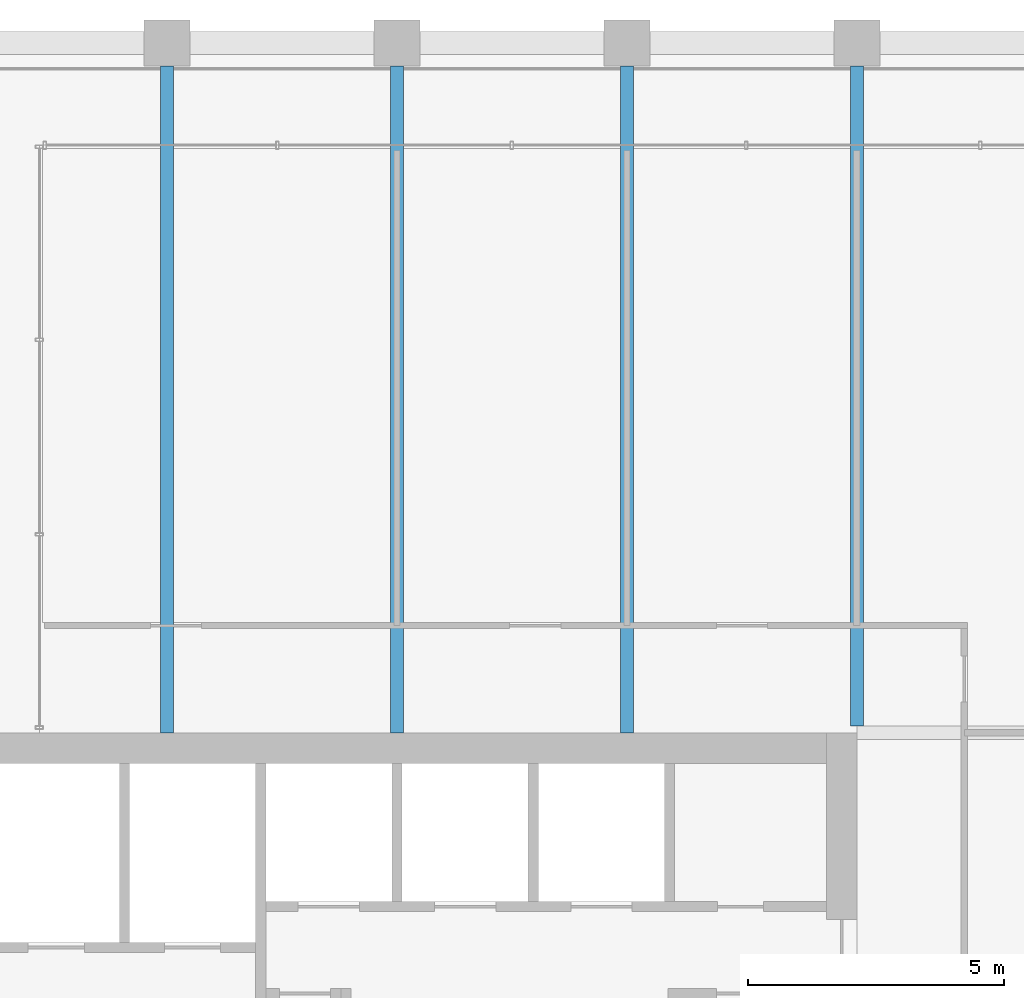
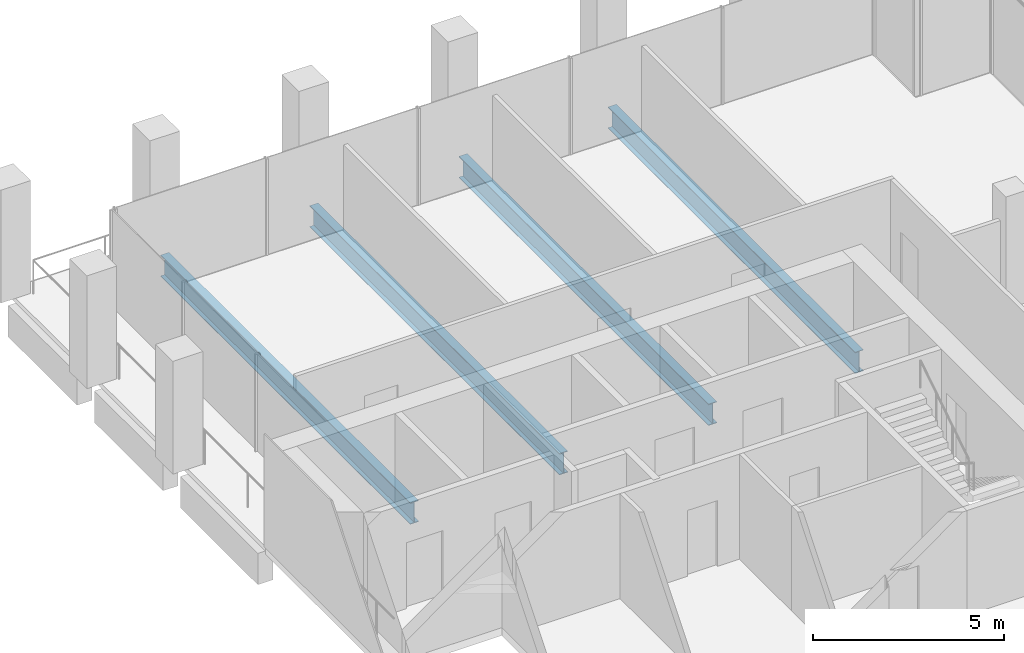
# One storey, part 22 of 40: 4 beams.
"""IFC4 building model written with IfcOpenShell, lengths in metres."""

from ifc_helpers import new_model, si_unit, direction, frame, origin, origin_2d, place, context, subcontext, project, spatial, i_section, extrude, material, material_profile, profile_set, type_object, element, save


model = new_model("IFC4")

# Units and contexts
model_context = context("Model", 3, precision=1e-05, world=origin(), true_north=direction((0.0, 1.0)))
body_context = subcontext(model_context, "Body", "Model", "MODEL_VIEW")
ifc_project = project(units=[si_unit("LENGTHUNIT", "METRE"), si_unit("AREAUNIT", "SQUARE_METRE"), si_unit("VOLUMEUNIT", "CUBIC_METRE"), si_unit("PLANEANGLEUNIT", "RADIAN"), si_unit("MASSUNIT", "GRAM", prefix="KILO")], contexts=[model_context])

# Site, building, storey
site_placement = place(None, origin())
site = spatial("IfcSite", under=ifc_project, at=site_placement, CompositionType="ELEMENT")
building_placement = place(site_placement, origin())
building = spatial("IfcBuilding", under=site, at=building_placement, Name="Altepetl Exchange Towers", CompositionType="ELEMENT")
storey_placement = place(building_placement, frame((0.0, 0.0, 165.39990234375)))
storey = spatial("IfcBuildingStorey", under=building, at=storey_placement, Name="L41", CompositionType="ELEMENT", Elevation=165.39990234375)

# Beams
ifc_material = material(Name="Steel S355", Category="steel")
ifc_material_profile = material_profile(ifc_material, i_section(OverallWidth=0.25390625, OverallDepth=0.68408203125, WebThickness=0.012451171875, FlangeThickness=0.018798828125, at=origin_2d()), Name="W27X94")
ifc_profile_set = profile_set([ifc_material_profile], Name="Steel S355")
beam_type = type_object("IfcBeamType", Name="Floor beam W27X94", PredefinedType="BEAM", material=ifc_profile_set)
for number, where, z_axis, x_axis, name in (
    (1, (45.0, 58.5, -0.491943359375), (0.0, 1.0, 0.0), (-1.0, 0.0, 0.0), "bm:A:L41:000"),
    (2, (49.5, 58.5, -0.491943359375), (0.0, 1.0, 0.0), (-1.0, 0.0, 0.0), "bm:A:L41:001"),
    (3, (54.0, 58.5, -0.491943359375), (0.0, 1.0, 0.0), (-1.0, 0.0, 0.0), "bm:A:L41:002"),
):
    element("IfcBeam", number, at=place(storey_placement, frame(where, z_axis=z_axis, x_axis=x_axis)), inside=storey, type_object=beam_type, Name=name, PredefinedType="BEAM", context=body_context, shape_type="SweptSolid", body=[
        extrude(i_section(OverallWidth=0.25390625, OverallDepth=0.68408203125, WebThickness=0.012451171875, FlangeThickness=0.018798828125, at=origin_2d()), origin(), (0.0, 0.0, 1.0), 13.050048828125),
    ])
beam_placement = place(storey_placement, frame((58.5, 58.634033203125, -0.491943359375), z_axis=(0.0, 1.0, 0.0), x_axis=(-1.0, 0.0, 0.0)))
element("IfcBeam", 4, at=beam_placement, inside=storey, type_object=beam_type, Name="bm:A:L41:003", PredefinedType="BEAM", context=body_context, shape_type="SweptSolid", body=[
    extrude(i_section(OverallWidth=0.25390625, OverallDepth=0.68408203125, WebThickness=0.012451171875, FlangeThickness=0.018798828125, at=origin_2d()), origin(), (0.0, 0.0, 1.0), 12.916015625),
])

save(model, "model.ifc")
